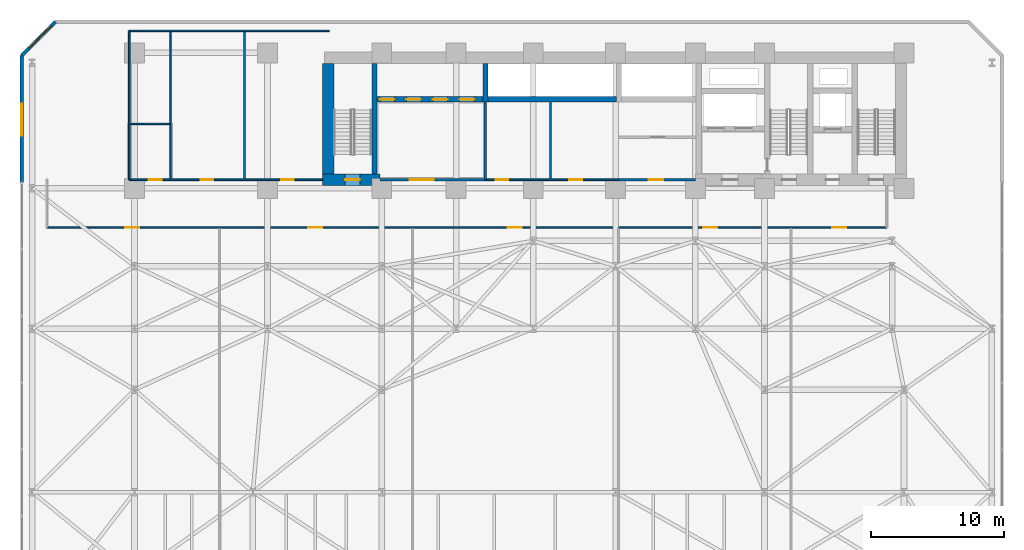
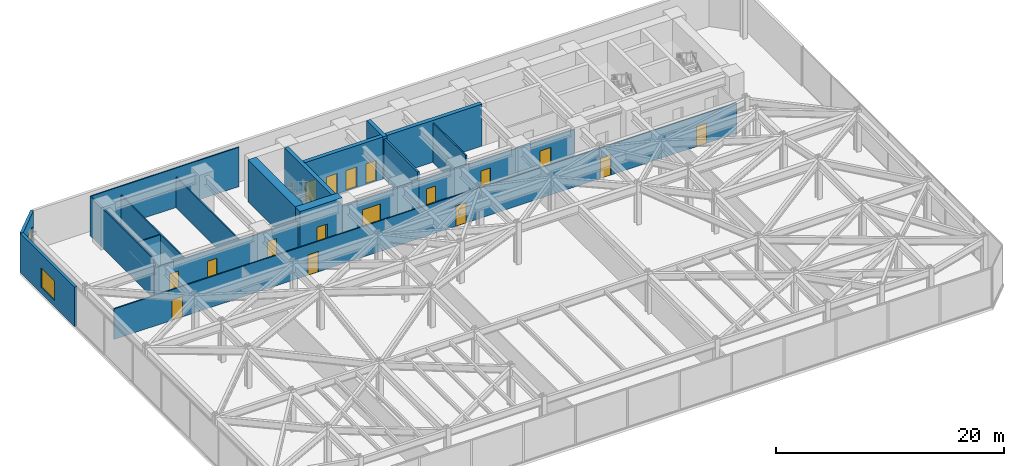
# One storey, part 25 of 28: 20 walls, 17 doors, 2 windows, 19 openings.
"""IFC4 building model written with IfcOpenShell, lengths in metres."""

from ifc_helpers import new_model, si_unit, direction, frame, frame_2d, origin, place, context, subcontext, project, spatial, rectangle, extrude, material, layer, layer_set, type_object, element, fill, save


model = new_model("IFC4")

# Units and contexts
model_context = context("Model", 3, precision=1e-05, world=origin(), true_north=direction((0.0, 1.0)))
body_context = subcontext(model_context, "Body", "Model", "MODEL_VIEW")
ifc_project = project(units=[si_unit("LENGTHUNIT", "METRE"), si_unit("AREAUNIT", "SQUARE_METRE"), si_unit("VOLUMEUNIT", "CUBIC_METRE"), si_unit("PLANEANGLEUNIT", "RADIAN"), si_unit("MASSUNIT", "GRAM", prefix="KILO")], contexts=[model_context])

# Site, building, storey
site_placement = place(None, origin())
site = spatial("IfcSite", under=ifc_project, at=site_placement, CompositionType="ELEMENT")
building_placement = place(site_placement, origin())
building = spatial("IfcBuilding", under=site, at=building_placement, Name="Kravanh Interchange Tower", CompositionType="ELEMENT")
storey_placement = place(building_placement, frame((0.0, 0.0, 10.800048828125)))
storey = spatial("IfcBuildingStorey", under=building, at=storey_placement, Name="L02", CompositionType="ELEMENT", Elevation=10.800048828125)

# Wall
ifc_material_1 = material(Name="Double Acoustic Gypsum Board and Mineral Wool")
ifc_layer_1 = layer(ifc_material_1, 0.1201171875)
ifc_layer_set_1 = layer_set([ifc_layer_1], Name="Acoustic Office Drywall Partition 120mm")
wall_type_1 = type_object("IfcWallType", Name="Acoustic Office Drywall Partition 120mm", PredefinedType="PARTITIONING", material=ifc_layer_set_1)
wall_1_placement = place(storey_placement, frame((39.89990234375, 38.068115234375, 0.0), z_axis=(0.0, 0.0, 1.0), x_axis=(0.0, 1.0, 0.0)))
element("IfcWall", 1, at=wall_1_placement, inside=storey, type_object=wall_type_1, Name="L02 Interior Partition 6", PredefinedType="PARTITIONING", context=body_context, shape_type="SweptSolid", body=[
    extrude(rectangle(XDim=5.77392578125, YDim=0.1201171875, at=frame_2d((2.886962890625, 0.0))), origin(), (0.0, 0.0, 1.0), 4.22998046875),
])

# Wall, openings, doors
wall_2_placement = place(storey_placement, frame((2.0, 34.39990234375, 0.0), z_axis=(0.0, 0.0, 1.0), x_axis=(1.0, 0.0, 0.0)))
wall_2 = element("IfcWall", 2, at=wall_2_placement, inside=storey, type_object=wall_type_1, Name="L02 Interior Partition 7", PredefinedType="PARTITIONING", context=body_context, shape_type="SweptSolid", body=[
    extrude(rectangle(XDim=63.199951171875, YDim=0.1201171875, at=frame_2d((31.60009765625, 0.0))), origin(), (0.0, 0.0, 1.0), 3.281982421875),
])
opening_1_placement = place(wall_2_placement, frame((5.89990234375, 0.0, 0.0)))
opening_1 = element("IfcOpeningElement", 3, at=opening_1_placement, cuts=wall_2, Name="Opening D-105", PredefinedType="OPENING", context=body_context, shape_type="SweptSolid", body=[
    extrude(rectangle(XDim=1.050048828125, YDim=2.199951171875, at=frame_2d((0.52490234375, 1.10009765625))), frame((0.0, 0.070068359375, 0.0), z_axis=(0.0, -1.0, 0.0), x_axis=(1.0, 0.0, 0.0)), (0.0, 0.0, 1.0), 0.14013671875),
])
opening_2_placement = place(wall_2_placement, frame((19.684814453125, 0.0, 0.0)))
opening_2 = element("IfcOpeningElement", 4, at=opening_2_placement, cuts=wall_2, Name="Opening D-105", PredefinedType="OPENING", context=body_context, shape_type="SweptSolid", body=[
    extrude(rectangle(XDim=1.050048828125, YDim=2.199951171875, at=frame_2d((0.52490234375, 1.10009765625))), frame((0.0, 0.070068359375, 0.0), z_axis=(0.0, -1.0, 0.0), x_axis=(1.0, 0.0, 0.0)), (0.0, 0.0, 1.0), 0.14013671875),
])
opening_3_placement = place(wall_2_placement, frame((34.684814453125, 0.0, 0.0)))
opening_3 = element("IfcOpeningElement", 5, at=opening_3_placement, cuts=wall_2, Name="Opening D-105", PredefinedType="OPENING", context=body_context, shape_type="SweptSolid", body=[
    extrude(rectangle(XDim=1.050048828125, YDim=2.199951171875, at=frame_2d((0.52490234375, 1.10009765625))), frame((0.0, 0.070068359375, 0.0), z_axis=(0.0, -1.0, 0.0), x_axis=(1.0, 0.0, 0.0)), (0.0, 0.0, 1.0), 0.14013671875),
])
opening_4_placement = place(wall_2_placement, frame((49.376708984375, 0.0, 0.0)))
opening_4 = element("IfcOpeningElement", 6, at=opening_4_placement, cuts=wall_2, Name="Opening D-105", PredefinedType="OPENING", context=body_context, shape_type="SweptSolid", body=[
    extrude(rectangle(XDim=1.050048828125, YDim=2.199951171875, at=frame_2d((0.52490234375, 1.10009765625))), frame((0.0, 0.070068359375, 0.0), z_axis=(0.0, -1.0, 0.0), x_axis=(1.0, 0.0, 0.0)), (0.0, 0.0, 1.0), 0.14013671875),
])
opening_5_placement = place(wall_2_placement, frame((59.10009765625, 0.0, 0.0)))
opening_5 = element("IfcOpeningElement", 7, at=opening_5_placement, cuts=wall_2, Name="Opening D-105", PredefinedType="OPENING", context=body_context, shape_type="SweptSolid", body=[
    extrude(rectangle(XDim=1.050048828125, YDim=2.199951171875, at=frame_2d((0.52490234375, 1.10009765625))), frame((0.0, 0.070068359375, 0.0), z_axis=(0.0, -1.0, 0.0), x_axis=(1.0, 0.0, 0.0)), (0.0, 0.0, 1.0), 0.14013671875),
])
ifc_material_2 = material(Name="Acoustic Glazed Oak and Aluminium", Category="aluminium")
door_type_1 = type_object("IfcDoorType", Name="Office Workplace Door 1050x2200", OperationType="NOTDEFINED", PredefinedType="DOOR", material=ifc_material_2)
door_1_placement = place(opening_1_placement, origin())
door_1 = element("IfcDoor", 8, at=door_1_placement, inside=storey, type_object=door_type_1, Name="L02 Rail Signalling Control Room Door", OperationType="SINGLE_SWING_RIGHT", OverallHeight=2.199951171875, OverallWidth=1.050048828125, PredefinedType="DOOR", context=body_context, shape_type="SweptSolid", body=[
    extrude(rectangle(XDim=1.050048828125, YDim=2.199951171875, at=frame_2d((0.52490234375, 1.10009765625))), frame((0.0, 0.02490234375, 0.0), z_axis=(0.0, -1.0, 0.0), x_axis=(1.0, 0.0, 0.0)), (0.0, 0.0, 1.0), 0.050048828125),
])
fill(opening_1, door_1)
door_2_placement = place(opening_2_placement, origin())
door_2 = element("IfcDoor", 9, at=door_2_placement, inside=storey, type_object=door_type_1, Name="L02 Bus Dispatch Operations Door", OperationType="SINGLE_SWING_LEFT", OverallHeight=2.199951171875, OverallWidth=1.050048828125, PredefinedType="DOOR", context=body_context, shape_type="SweptSolid", body=[
    extrude(rectangle(XDim=1.050048828125, YDim=2.199951171875, at=frame_2d((0.52490234375, 1.10009765625))), frame((0.0, 0.02490234375, 0.0), z_axis=(0.0, -1.0, 0.0), x_axis=(1.0, 0.0, 0.0)), (0.0, 0.0, 1.0), 0.050048828125),
])
fill(opening_2, door_2)
door_3_placement = place(opening_3_placement, origin())
door_3 = element("IfcDoor", 10, at=door_3_placement, inside=storey, type_object=door_type_1, Name="L02 Transit Operations Office Door", OperationType="SINGLE_SWING_RIGHT", OverallHeight=2.199951171875, OverallWidth=1.050048828125, PredefinedType="DOOR", context=body_context, shape_type="SweptSolid", body=[
    extrude(rectangle(XDim=1.050048828125, YDim=2.199951171875, at=frame_2d((0.52490234375, 1.10009765625))), frame((0.0, 0.02490234375, 0.0), z_axis=(0.0, -1.0, 0.0), x_axis=(1.0, 0.0, 0.0)), (0.0, 0.0, 1.0), 0.050048828125),
])
fill(opening_3, door_3)
door_4_placement = place(opening_4_placement, origin())
door_4 = element("IfcDoor", 11, at=door_4_placement, inside=storey, type_object=door_type_1, Name="L02 Station Administration Office Door", OperationType="SINGLE_SWING_LEFT", OverallHeight=2.199951171875, OverallWidth=1.050048828125, PredefinedType="DOOR", context=body_context, shape_type="SweptSolid", body=[
    extrude(rectangle(XDim=1.050048828125, YDim=2.199951171875, at=frame_2d((0.52490234375, 1.10009765625))), frame((0.0, 0.02490234375, 0.0), z_axis=(0.0, -1.0, 0.0), x_axis=(1.0, 0.0, 0.0)), (0.0, 0.0, 1.0), 0.050048828125),
])
fill(opening_4, door_4)
door_5_placement = place(opening_5_placement, origin())
door_5 = element("IfcDoor", 12, at=door_5_placement, inside=storey, type_object=door_type_1, Name="L02 Civic Customer Service Suite Door", OperationType="SINGLE_SWING_RIGHT", OverallHeight=2.199951171875, OverallWidth=1.050048828125, PredefinedType="DOOR", context=body_context, shape_type="SweptSolid", body=[
    extrude(rectangle(XDim=1.050048828125, YDim=2.199951171875, at=frame_2d((0.52490234375, 1.10009765625))), frame((0.0, 0.02490234375, 0.0), z_axis=(0.0, -1.0, 0.0), x_axis=(1.0, 0.0, 0.0)), (0.0, 0.0, 1.0), 0.050048828125),
])
fill(opening_5, door_5)

wall_3_placement = place(storey_placement, frame((8.199951171875, 38.0, 0.0), z_axis=(0.0, 0.0, 1.0), x_axis=(1.0, 0.0, 0.0)))
wall_3 = element("IfcWall", 13, at=wall_3_placement, inside=storey, type_object=wall_type_1, Name="L02 Restroom Corridor Wall 10", PredefinedType="PARTITIONING", context=body_context, shape_type="SweptSolid", body=[
    extrude(rectangle(XDim=14.550048828125, YDim=0.1201171875, at=frame_2d((7.27490234375, 0.0))), origin(), (0.0, 0.0, 1.0), 3.281982421875),
])
opening_6_placement = place(wall_3_placement, frame((1.481689453125, 0.0, 0.0)))
opening_6 = element("IfcOpeningElement", 14, at=opening_6_placement, cuts=wall_3, Name="Opening D-95", PredefinedType="OPENING", context=body_context, shape_type="SweptSolid", body=[
    extrude(rectangle(XDim=0.949951171875, YDim=2.14990234375, at=frame_2d((0.47509765625, 1.074951171875))), frame((0.0, 0.070068359375, 0.0), z_axis=(0.0, -1.0, 0.0), x_axis=(1.0, 0.0, 0.0)), (0.0, 0.0, 1.0), 0.14013671875),
])
opening_7_placement = place(wall_3_placement, frame((5.369873046875, 0.0, 0.0)))
opening_7 = element("IfcOpeningElement", 15, at=opening_7_placement, cuts=wall_3, Name="Opening D-95", PredefinedType="OPENING", context=body_context, shape_type="SweptSolid", body=[
    extrude(rectangle(XDim=0.949951171875, YDim=2.14990234375, at=frame_2d((0.47509765625, 1.074951171875))), frame((0.0, 0.070068359375, 0.0), z_axis=(0.0, -1.0, 0.0), x_axis=(1.0, 0.0, 0.0)), (0.0, 0.0, 1.0), 0.14013671875),
])
opening_8_placement = place(wall_3_placement, frame((11.436767578125, 0.0, 0.0)))
opening_8 = element("IfcOpeningElement", 16, at=opening_8_placement, cuts=wall_3, Name="Opening D-95", PredefinedType="OPENING", context=body_context, shape_type="SweptSolid", body=[
    extrude(rectangle(XDim=0.949951171875, YDim=2.14990234375, at=frame_2d((0.47509765625, 1.074951171875))), frame((0.0, 0.070068359375, 0.0), z_axis=(0.0, -1.0, 0.0), x_axis=(1.0, 0.0, 0.0)), (0.0, 0.0, 1.0), 0.14013671875),
])
ifc_material_3 = material(Name="Laminate Solid-Core Timber", Category="wood")
door_type_2 = type_object("IfcDoorType", Name="Accessible Restroom Door 950x2150", OperationType="NOTDEFINED", PredefinedType="DOOR", material=ifc_material_3)
door_6_placement = place(opening_6_placement, origin())
door_6 = element("IfcDoor", 17, at=door_6_placement, inside=storey, type_object=door_type_2, Name="L02 Accessible WC Door", OperationType="SINGLE_SWING_LEFT", OverallHeight=2.14990234375, OverallWidth=0.949951171875, PredefinedType="DOOR", context=body_context, shape_type="SweptSolid", body=[
    extrude(rectangle(XDim=0.949951171875, YDim=2.14990234375, at=frame_2d((0.47509765625, 1.074951171875))), frame((0.0, 0.02490234375, 0.0), z_axis=(0.0, -1.0, 0.0), x_axis=(1.0, 0.0, 0.0)), (0.0, 0.0, 1.0), 0.050048828125),
])
fill(opening_6, door_6)
door_7_placement = place(opening_7_placement, origin())
door_7 = element("IfcDoor", 18, at=door_7_placement, inside=storey, type_object=door_type_2, Name="L02 Female WC Door", OperationType="SINGLE_SWING_RIGHT", OverallHeight=2.14990234375, OverallWidth=0.949951171875, PredefinedType="DOOR", context=body_context, shape_type="SweptSolid", body=[
    extrude(rectangle(XDim=0.949951171875, YDim=2.14990234375, at=frame_2d((0.47509765625, 1.074951171875))), frame((0.0, 0.02490234375, 0.0), z_axis=(0.0, -1.0, 0.0), x_axis=(1.0, 0.0, 0.0)), (0.0, 0.0, 1.0), 0.050048828125),
])
fill(opening_7, door_7)
door_8_placement = place(opening_8_placement, origin())
door_8 = element("IfcDoor", 19, at=door_8_placement, inside=storey, type_object=door_type_2, Name="L02 Male WC Door", OperationType="SINGLE_SWING_LEFT", OverallHeight=2.14990234375, OverallWidth=0.949951171875, PredefinedType="DOOR", context=body_context, shape_type="SweptSolid", body=[
    extrude(rectangle(XDim=0.949951171875, YDim=2.14990234375, at=frame_2d((0.47509765625, 1.074951171875))), frame((0.0, 0.02490234375, 0.0), z_axis=(0.0, -1.0, 0.0), x_axis=(1.0, 0.0, 0.0)), (0.0, 0.0, 1.0), 0.050048828125),
])
fill(opening_8, door_8)

# Walls
wall_4_placement = place(storey_placement, frame((8.199951171875, 38.0, 0.0), z_axis=(0.0, 0.0, 1.0), x_axis=(0.0, 1.0, 0.0)))
element("IfcWall", 20, at=wall_4_placement, inside=storey, type_object=wall_type_1, Name="L02 Restroom West Enclosure 11", PredefinedType="PARTITIONING", context=body_context, shape_type="SweptSolid", body=[
    extrude(rectangle(XDim=11.199951171875, YDim=0.1201171875, at=frame_2d((5.60009765625, 0.0))), origin(), (0.0, 0.0, 1.0), 4.22998046875),
])
wall_5_placement = place(storey_placement, frame((8.199951171875, 49.199951171875, 0.0), z_axis=(0.0, 0.0, 1.0), x_axis=(1.0, 0.0, 0.0)))
element("IfcWall", 21, at=wall_5_placement, inside=storey, type_object=wall_type_1, Name="L02 Restroom North Enclosure 12", PredefinedType="PARTITIONING", context=body_context, shape_type="SweptSolid", body=[
    extrude(rectangle(XDim=15.050048828125, YDim=0.1201171875, at=frame_2d((7.52490234375, 0.0))), origin(), (0.0, 0.0, 1.0), 4.22998046875),
])
for number, where, z_axis, x_axis, name in (
    (22, (11.300048828125, 38.068115234375, 0.0), (0.0, 0.0, 1.0), (0.0, 1.0, 0.0), "L02 Interior Partition 13"),
    (23, (16.8701171875, 38.068115234375, 0.0), (0.0, 0.0, 1.0), (0.0, 1.0, 0.0), "L02 Interior Partition 14"),
):
    element("IfcWall", number, at=place(storey_placement, frame(where, z_axis=z_axis, x_axis=x_axis)), inside=storey, type_object=wall_type_1, Name=name, PredefinedType="PARTITIONING", context=body_context, shape_type="SweptSolid", body=[
        extrude(rectangle(XDim=11.06396484375, YDim=0.1201171875, at=frame_2d((5.531982421875, 0.0))), origin(), (0.0, 0.0, 1.0), 3.281982421875),
    ])
wall_6_placement = place(storey_placement, frame((8.26806640625, 42.199951171875, 0.0), z_axis=(0.0, 0.0, 1.0), x_axis=(1.0, 0.0, 0.0)))
element("IfcWall", 24, at=wall_6_placement, inside=storey, type_object=wall_type_1, Name="L02 Interior Partition 15", PredefinedType="PARTITIONING", context=body_context, shape_type="SweptSolid", body=[
    extrude(rectangle(XDim=2.9638671875, YDim=0.1201171875, at=frame_2d((1.48193359375, 0.0))), origin(), (0.0, 0.0, 1.0), 3.281982421875),
])
ifc_material_4 = material(Name="Concrete C80/95", Category="concrete")
ifc_layer_2 = layer(ifc_material_4, 0.39990234375)
ifc_layer_set_2 = layer_set([ifc_layer_2], Name="Core Shear Wall Concrete C80/95 400mm")
wall_type_2 = type_object("IfcWallType", Name="Core Shear Wall Concrete C80/95 400mm", PredefinedType="SHEAR", material=ifc_layer_set_2)
wall_7_placement = place(storey_placement, frame((35.199951171875, 44.050048828125, 0.0), z_axis=(0.0, 0.0, 1.0), x_axis=(1.0, 0.0, 0.0)))
element("IfcWall", 25, at=wall_7_placement, inside=storey, type_object=wall_type_2, Name="L02 Mid-Rise Lift Shaft South Wall", PredefinedType="SHEAR", context=body_context, shape_type="SweptSolid", body=[
    extrude(rectangle(XDim=9.650146484375, YDim=0.39990234375, at=frame_2d((4.8251953125, 0.0))), origin(), (0.0, 0.0, 1.0), 4.5),
])
wall_8_placement = place(storey_placement, frame((35.0, 43.85009765625, 0.0), z_axis=(0.0, 0.0, 1.0), x_axis=(0.0, 1.0, 0.0)))
element("IfcWall", 26, at=wall_8_placement, inside=storey, type_object=wall_type_2, Name="L02 Mid-Rise Lift Shaft West Wall", PredefinedType="SHEAR", context=body_context, shape_type="SweptSolid", body=[
    extrude(rectangle(XDim=2.89990234375, YDim=0.39990234375, at=frame_2d((1.449951171875, 0.0))), origin(), (0.0, 0.0, 1.0), 4.5),
])

# Wall, openings, doors
wall_9_placement = place(storey_placement, frame((26.85009765625, 44.050048828125, 0.0), z_axis=(0.0, 0.0, 1.0), x_axis=(1.0, 0.0, 0.0)))
wall_9 = element("IfcWall", 27, at=wall_9_placement, inside=storey, type_object=wall_type_2, Name="L02 Low-Rise Lift Shaft South Wall", PredefinedType="SHEAR", context=body_context, shape_type="SweptSolid", body=[
    extrude(rectangle(XDim=7.949951171875, YDim=0.39990234375, at=frame_2d((3.97509765625, 0.0))), origin(), (0.0, 0.0, 1.0), 4.5),
])
opening_9_placement = place(wall_9_placement, frame((0.199951171875, 0.0, 0.0)))
opening_9 = element("IfcOpeningElement", 28, at=opening_9_placement, cuts=wall_9, Name="Opening LD01", PredefinedType="OPENING", context=body_context, shape_type="SweptSolid", body=[
    extrude(rectangle(XDim=1.10009765625, YDim=2.199951171875, at=frame_2d((0.550048828125, 1.10009765625))), frame((0.0, 0.2099609375, 0.0), z_axis=(0.0, -1.0, 0.0), x_axis=(1.0, 0.0, 0.0)), (0.0, 0.0, 1.0), 0.419921875),
])
opening_10_placement = place(wall_9_placement, frame((2.199951171875, 0.0, 0.0)))
opening_10 = element("IfcOpeningElement", 29, at=opening_10_placement, cuts=wall_9, Name="Opening LD01", PredefinedType="OPENING", context=body_context, shape_type="SweptSolid", body=[
    extrude(rectangle(XDim=1.10009765625, YDim=2.199951171875, at=frame_2d((0.550048828125, 1.10009765625))), frame((0.0, 0.2099609375, 0.0), z_axis=(0.0, -1.0, 0.0), x_axis=(1.0, 0.0, 0.0)), (0.0, 0.0, 1.0), 0.419921875),
])
opening_11_placement = place(wall_9_placement, frame((4.199951171875, 0.0, 0.0)))
opening_11 = element("IfcOpeningElement", 30, at=opening_11_placement, cuts=wall_9, Name="Opening LD01", PredefinedType="OPENING", context=body_context, shape_type="SweptSolid", body=[
    extrude(rectangle(XDim=1.10009765625, YDim=2.199951171875, at=frame_2d((0.550048828125, 1.10009765625))), frame((0.0, 0.2099609375, 0.0), z_axis=(0.0, -1.0, 0.0), x_axis=(1.0, 0.0, 0.0)), (0.0, 0.0, 1.0), 0.419921875),
])
opening_12_placement = place(wall_9_placement, frame((6.199951171875, 0.0, 0.0)))
opening_12 = element("IfcOpeningElement", 31, at=opening_12_placement, cuts=wall_9, Name="Opening LD01", PredefinedType="OPENING", context=body_context, shape_type="SweptSolid", body=[
    extrude(rectangle(XDim=1.10009765625, YDim=2.199951171875, at=frame_2d((0.550048828125, 1.10009765625))), frame((0.0, 0.2099609375, 0.0), z_axis=(0.0, -1.0, 0.0), x_axis=(1.0, 0.0, 0.0)), (0.0, 0.0, 1.0), 0.419921875),
])
ifc_material_5 = material(Name="Stainless Steel 304", Category="steel")
door_type_3 = type_object("IfcDoorType", Name="Passenger Lift Sliding Landing Door 1100x2200", OperationType="DOUBLE_DOOR_SLIDING", PredefinedType="DOOR", material=ifc_material_5)
door_9_placement = place(opening_9_placement, origin())
door_9 = element("IfcDoor", 32, at=door_9_placement, inside=storey, type_object=door_type_3, Name="L02 Lift LP-L1 Landing Door", OperationType="DOUBLE_DOOR_SLIDING", OverallHeight=2.199951171875, OverallWidth=1.10009765625, PredefinedType="DOOR", context=body_context, shape_type="SweptSolid", body=[
    extrude(rectangle(XDim=1.10009765625, YDim=2.199951171875, at=frame_2d((0.550048828125, 1.10009765625))), frame((0.0, 0.02490234375, 0.0), z_axis=(0.0, -1.0, 0.0), x_axis=(1.0, 0.0, 0.0)), (0.0, 0.0, 1.0), 0.050048828125),
])
fill(opening_9, door_9)
door_10_placement = place(opening_10_placement, origin())
door_10 = element("IfcDoor", 33, at=door_10_placement, inside=storey, type_object=door_type_3, Name="L02 Lift LP-L2 Landing Door", OperationType="DOUBLE_DOOR_SLIDING", OverallHeight=2.199951171875, OverallWidth=1.10009765625, PredefinedType="DOOR", context=body_context, shape_type="SweptSolid", body=[
    extrude(rectangle(XDim=1.10009765625, YDim=2.199951171875, at=frame_2d((0.550048828125, 1.10009765625))), frame((0.0, 0.02490234375, 0.0), z_axis=(0.0, -1.0, 0.0), x_axis=(1.0, 0.0, 0.0)), (0.0, 0.0, 1.0), 0.050048828125),
])
fill(opening_10, door_10)
door_11_placement = place(opening_11_placement, origin())
door_11 = element("IfcDoor", 34, at=door_11_placement, inside=storey, type_object=door_type_3, Name="L02 Lift LP-L3 Landing Door", OperationType="DOUBLE_DOOR_SLIDING", OverallHeight=2.199951171875, OverallWidth=1.10009765625, PredefinedType="DOOR", context=body_context, shape_type="SweptSolid", body=[
    extrude(rectangle(XDim=1.10009765625, YDim=2.199951171875, at=frame_2d((0.550048828125, 1.10009765625))), frame((0.0, 0.02490234375, 0.0), z_axis=(0.0, -1.0, 0.0), x_axis=(1.0, 0.0, 0.0)), (0.0, 0.0, 1.0), 0.050048828125),
])
fill(opening_11, door_11)
door_12_placement = place(opening_12_placement, origin())
door_12 = element("IfcDoor", 35, at=door_12_placement, inside=storey, type_object=door_type_3, Name="L02 Lift LP-L4 Landing Door", OperationType="DOUBLE_DOOR_SLIDING", OverallHeight=2.199951171875, OverallWidth=1.10009765625, PredefinedType="DOOR", context=body_context, shape_type="SweptSolid", body=[
    extrude(rectangle(XDim=1.10009765625, YDim=2.199951171875, at=frame_2d((0.550048828125, 1.10009765625))), frame((0.0, 0.02490234375, 0.0), z_axis=(0.0, -1.0, 0.0), x_axis=(1.0, 0.0, 0.0)), (0.0, 0.0, 1.0), 0.050048828125),
])
fill(opening_12, door_12)

# Wall
wall_10_placement = place(storey_placement, frame((26.64990234375, 38.425048828125, 0.0), z_axis=(0.0, 0.0, 1.0), x_axis=(0.0, 1.0, 0.0)))
element("IfcWall", 36, at=wall_10_placement, inside=storey, type_object=wall_type_2, Name="L02 Stair ST3 East Shear Wall", PredefinedType="SHEAR", context=body_context, shape_type="SweptSolid", body=[
    extrude(rectangle(XDim=8.324951171875, YDim=0.39990234375, at=frame_2d((4.16259765625, 0.0))), origin(), (0.0, 0.0, 1.0), 4.5),
])

# Wall, opening, door
ifc_material_6 = material(Name="Concrete C80/95", Category="concrete")
ifc_layer_3 = layer(ifc_material_6, 0.85009765625)
ifc_layer_set_3 = layer_set([ifc_layer_3], Name="Core Shear Wall Concrete C80/95 850mm")
wall_type_3 = type_object("IfcWallType", Name="Core Shear Wall Concrete C80/95 850mm", PredefinedType="SHEAR", material=ifc_layer_set_3)
wall_11_placement = place(storey_placement, frame((22.75, 38.0, 0.0), z_axis=(0.0, 0.0, 1.0), x_axis=(1.0, 0.0, 0.0)))
wall_11 = element("IfcWall", 37, at=wall_11_placement, inside=storey, type_object=wall_type_3, Name="L02 Stair ST3 South Shear Wall", PredefinedType="SHEAR", context=body_context, shape_type="SweptSolid", body=[
    extrude(rectangle(XDim=4.300048828125, YDim=0.85009765625, at=frame_2d((2.14990234375, 0.0))), origin(), (0.0, 0.0, 1.0), 4.5),
])
opening_13_placement = place(wall_11_placement, frame((1.699951171875, 0.0, 0.0)))
opening_13 = element("IfcOpeningElement", 38, at=opening_13_placement, cuts=wall_11, Name="Opening D-STAIR-110", PredefinedType="OPENING", context=body_context, shape_type="SweptSolid", body=[
    extrude(rectangle(XDim=1.10009765625, YDim=2.199951171875, at=frame_2d((0.550048828125, 1.10009765625))), frame((0.0, 0.43505859375, 0.0), z_axis=(0.0, -1.0, 0.0), x_axis=(1.0, 0.0, 0.0)), (0.0, 0.0, 1.0), 0.8701171875),
])
ifc_material_7 = material(Name="Structural Steel S355", Category="steel")
door_type_4 = type_object("IfcDoorType", Name="Fire-Rated Exit Stair Door 1100x2200", OperationType="NOTDEFINED", PredefinedType="DOOR", material=ifc_material_7)
door_13_placement = place(opening_13_placement, origin())
door_13 = element("IfcDoor", 39, at=door_13_placement, inside=storey, type_object=door_type_4, Name="L02 Exit Stair ST3 Door", OperationType="SINGLE_SWING_RIGHT", OverallHeight=2.199951171875, OverallWidth=1.10009765625, PredefinedType="DOOR", context=body_context, shape_type="SweptSolid", body=[
    extrude(rectangle(XDim=1.10009765625, YDim=2.199951171875, at=frame_2d((0.550048828125, 1.10009765625))), frame((0.0, 0.02490234375, 0.0), z_axis=(0.0, -1.0, 0.0), x_axis=(1.0, 0.0, 0.0)), (0.0, 0.0, 1.0), 0.050048828125),
])
fill(opening_13, door_13)

# Wall
wall_12_placement = place(storey_placement, frame((23.175048828125, 38.425048828125, 0.0), z_axis=(0.0, 0.0, 1.0), x_axis=(0.0, 1.0, 0.0)))
element("IfcWall", 40, at=wall_12_placement, inside=storey, type_object=wall_type_3, Name="L02 Stair ST3 West Shear Wall", PredefinedType="SHEAR", context=body_context, shape_type="SweptSolid", body=[
    extrude(rectangle(XDim=8.324951171875, YDim=0.85009765625, at=frame_2d((4.16259765625, 0.0))), origin(), (0.0, 0.0, 1.0), 4.5),
])

# Wall, opening, window
ifc_material_8 = material(Name="Insulated Precast Concrete C40/50 with Bronze Cladding", Category="concrete")
ifc_layer_4 = layer(ifc_material_8, 0.280029296875)
ifc_layer_set_4 = layer_set([ifc_layer_4], Name="Exterior Insulated Concrete C40/50 Bronze Spandrel Wall 280mm")
wall_type_4 = type_object("IfcWallType", Name="Exterior Insulated Concrete C40/50 Bronze Spandrel Wall 280mm", PredefinedType="STANDARD", material=ifc_layer_set_4)
wall_13_placement = place(storey_placement, frame((0.1201171875, 37.800048828125, 0.0), z_axis=(0.0, 0.0, 1.0), x_axis=(0.0, 1.0, 0.0)))
wall_13 = element("IfcWall", 41, at=wall_13_placement, inside=storey, type_object=wall_type_4, Name="L02 Exterior Wall 1", PredefinedType="STANDARD", context=body_context, shape_type="SweptSolid", body=[
    extrude(rectangle(XDim=9.55029296875, YDim=0.280029296875, at=frame_2d((4.775146484375, 0.0))), origin(), (0.0, 0.0, 1.0), 4.22998046875),
])
opening_14_placement = place(wall_13_placement, frame((3.5146484375, 0.0, 0.64990234375)))
opening_14 = element("IfcOpeningElement", 42, at=opening_14_placement, cuts=wall_13, Name="Opening WN-240X210", PredefinedType="OPENING", context=body_context, shape_type="SweptSolid", body=[
    extrude(rectangle(XDim=2.39990234375, YDim=2.10009765625, at=frame_2d((1.199951171875, 1.050048828125))), frame((0.0, 0.14990234375, 0.0), z_axis=(0.0, -1.0, 0.0), x_axis=(1.0, 0.0, 0.0)), (0.0, 0.0, 1.0), 0.300048828125),
])
ifc_material_9 = material(Name="Thermally Broken Bronze Aluminium and Low-E Glass", Category="aluminium")
window_type = type_object("IfcWindowType", Name="Podium Punched Window 2400x2100", PartitioningType="SINGLE_PANEL", PredefinedType="WINDOW", material=ifc_material_9)
window_1_placement = place(opening_14_placement, origin())
window_1 = element("IfcWindow", 43, at=window_1_placement, inside=storey, type_object=window_type, Name="L02 Corner Window 1", OverallHeight=2.10009765625, OverallWidth=2.39990234375, PartitioningType="SINGLE_PANEL", PredefinedType="WINDOW", context=body_context, shape_type="SweptSolid", body=[
    extrude(rectangle(XDim=2.39990234375, YDim=2.10009765625, at=frame_2d((1.199951171875, 1.050048828125))), frame((0.0, 0.030029296875, 0.0), z_axis=(0.0, -1.0, 0.0), x_axis=(1.0, 0.0, 0.0)), (0.0, 0.0, 1.0), 0.06005859375),
])
fill(opening_14, window_1)

wall_14_placement = place(storey_placement, frame((0.1201171875, 47.350341796875, 0.0), z_axis=(0.0, 0.0, 1.0), x_axis=(0.707106781187, 0.707106781187, 0.0)))
wall_14 = element("IfcWall", 44, at=wall_14_placement, inside=storey, type_object=wall_type_4, Name="L02 Exterior Wall 2", PredefinedType="STANDARD", context=body_context, shape_type="SweptSolid", body=[
    extrude(rectangle(XDim=3.577392578125, YDim=0.280029296875, at=frame_2d((1.78857421875, 0.0))), origin(), (0.0, 0.0, 1.0), 4.22998046875),
])
opening_15_placement = place(wall_14_placement, frame((0.750732421875, 0.0, 0.64990234375)))
opening_15 = element("IfcOpeningElement", 45, at=opening_15_placement, cuts=wall_14, Name="Opening WN-240X210", PredefinedType="OPENING", context=body_context, shape_type="SweptSolid", body=[
    extrude(rectangle(XDim=2.39990234375, YDim=2.10009765625, at=frame_2d((1.199951171875, 1.050048828125))), frame((0.0, 0.14990234375, 0.0), z_axis=(0.0, -1.0, 0.0), x_axis=(1.0, 0.0, 0.0)), (0.0, 0.0, 1.0), 0.300048828125),
])
window_2_placement = place(opening_15_placement, origin())
window_2 = element("IfcWindow", 46, at=window_2_placement, inside=storey, type_object=window_type, Name="L02 Corner Window 2", OverallHeight=2.10009765625, OverallWidth=2.39990234375, PartitioningType="SINGLE_PANEL", PredefinedType="WINDOW", context=body_context, shape_type="SweptSolid", body=[
    extrude(rectangle(XDim=2.39990234375, YDim=2.10009765625, at=frame_2d((1.199951171875, 1.050048828125))), frame((0.0, 0.030029296875, 0.0), z_axis=(0.0, -1.0, 0.0), x_axis=(1.0, 0.0, 0.0)), (0.0, 0.0, 1.0), 0.06005859375),
])
fill(opening_15, window_2)

# Wall, opening, door
ifc_material_10 = material(Name="Autoclaved Aerated Concrete C30/37 Blockwork", Category="masonry")
ifc_layer_5 = layer(ifc_material_10, 0.179931640625)
ifc_layer_set_5 = layer_set([ifc_layer_5], Name="Fire-Rated Lobby and Corridor Wall Concrete C30/37 180mm")
wall_type_5 = type_object("IfcWallType", Name="Fire-Rated Lobby and Corridor Wall Concrete C30/37 180mm", PredefinedType="STANDARD", material=ifc_layer_set_5)
wall_15_placement = place(storey_placement, frame((45.050048828125, 38.0, 0.0), z_axis=(0.0, 0.0, 1.0), x_axis=(1.0, 0.0, 0.0)))
wall_15 = element("IfcWall", 47, at=wall_15_placement, inside=storey, type_object=wall_type_5, Name="L02 Core South Enclosure 1", PredefinedType="STANDARD", context=body_context, shape_type="SweptSolid", body=[
    extrude(rectangle(XDim=5.75, YDim=0.179931640625, at=frame_2d((2.875, 0.0))), origin(), (0.0, 0.0, 1.0), 3.281982421875),
])
opening_16_placement = place(wall_15_placement, frame((2.240478515625, 0.0, 0.0)))
opening_16 = element("IfcOpeningElement", 48, at=opening_16_placement, cuts=wall_15, Name="Opening D-SHAFT-110", PredefinedType="OPENING", context=body_context, shape_type="SweptSolid", body=[
    extrude(rectangle(XDim=1.10009765625, YDim=2.199951171875, at=frame_2d((0.550048828125, 1.10009765625))), frame((0.0, 0.10009765625, 0.0), z_axis=(0.0, -1.0, 0.0), x_axis=(1.0, 0.0, 0.0)), (0.0, 0.0, 1.0), 0.199951171875),
])
ifc_material_11 = material(Name="Fire-Rated Composite Timber Leaf", Category="wood")
door_type_5 = type_object("IfcDoorType", Name="Fire-Rated Core Support Door 1100x2200", OperationType="NOTDEFINED", PredefinedType="DOOR", material=ifc_material_11)
door_14_placement = place(opening_16_placement, origin())
door_14 = element("IfcDoor", 49, at=door_14_placement, inside=storey, type_object=door_type_5, Name="L02 Core Telecom Room Door", OperationType="SINGLE_SWING_RIGHT", OverallHeight=2.199951171875, OverallWidth=1.10009765625, PredefinedType="DOOR", context=body_context, shape_type="SweptSolid", body=[
    extrude(rectangle(XDim=1.10009765625, YDim=2.199951171875, at=frame_2d((0.550048828125, 1.10009765625))), frame((0.0, 0.02490234375, 0.0), z_axis=(0.0, -1.0, 0.0), x_axis=(1.0, 0.0, 0.0)), (0.0, 0.0, 1.0), 0.050048828125),
])
fill(opening_16, door_14)

# Wall
wall_16_placement = place(storey_placement, frame((35.0, 38.0, 0.0), z_axis=(0.0, 0.0, 1.0), x_axis=(0.0, 1.0, 0.0)))
element("IfcWall", 50, at=wall_16_placement, inside=storey, type_object=wall_type_5, Name="L02 Low-Rise Lobby East Wall 3", PredefinedType="STANDARD", context=body_context, shape_type="SweptSolid", body=[
    extrude(rectangle(XDim=5.85009765625, YDim=0.179931640625, at=frame_2d((2.925048828125, 0.0))), origin(), (0.0, 0.0, 1.0), 4.22998046875),
])

# Wall, opening, door
wall_17_placement = place(storey_placement, frame((27.050048828125, 38.0, 0.0), z_axis=(0.0, 0.0, 1.0), x_axis=(1.0, 0.0, 0.0)))
wall_17 = element("IfcWall", 51, at=wall_17_placement, inside=storey, type_object=wall_type_5, Name="L02 Low-Rise Lobby South Wall 4", PredefinedType="STANDARD", context=body_context, shape_type="SweptSolid", body=[
    extrude(rectangle(XDim=7.949951171875, YDim=0.179931640625, at=frame_2d((3.97509765625, 0.0))), origin(), (0.0, 0.0, 1.0), 3.281982421875),
])
opening_17_placement = place(wall_17_placement, frame((2.25, 0.0, 0.0)))
opening_17 = element("IfcOpeningElement", 52, at=opening_17_placement, cuts=wall_17, Name="Opening DBL-180", PredefinedType="OPENING", context=body_context, shape_type="SweptSolid", body=[
    extrude(rectangle(XDim=1.800048828125, YDim=2.199951171875, at=frame_2d((0.89990234375, 1.10009765625))), frame((0.0, 0.10009765625, 0.0), z_axis=(0.0, -1.0, 0.0), x_axis=(1.0, 0.0, 0.0)), (0.0, 0.0, 1.0), 0.199951171875),
])
ifc_material_12 = material(Name="Structural Steel S355", Category="steel")
door_type_6 = type_object("IfcDoorType", Name="Lift Lobby Double Fire Door 1800x2200", OperationType="DOUBLE_DOOR_SINGLE_SWING", PredefinedType="DOOR", material=ifc_material_12)
door_15_placement = place(opening_17_placement, origin())
door_15 = element("IfcDoor", 53, at=door_15_placement, inside=storey, type_object=door_type_6, Name="L02 Low-Rise Lift Lobby Door", OperationType="DOUBLE_DOOR_SINGLE_SWING", OverallHeight=2.199951171875, OverallWidth=1.800048828125, PredefinedType="DOOR", context=body_context, shape_type="SweptSolid", body=[
    extrude(rectangle(XDim=1.800048828125, YDim=2.199951171875, at=frame_2d((0.89990234375, 1.10009765625))), frame((0.0, 0.02490234375, 0.0), z_axis=(0.0, -1.0, 0.0), x_axis=(1.0, 0.0, 0.0)), (0.0, 0.0, 1.0), 0.050048828125),
])
fill(opening_17, door_15)

# Wall, openings, doors
ifc_material_13 = material(Name="Twin Stud Acoustic Gypsum Board Wall")
ifc_layer_6 = layer(ifc_material_13, 0.14990234375)
ifc_layer_set_6 = layer_set([ifc_layer_6], Name="Medium-Duty Acoustic Partition 150mm")
wall_type_6 = type_object("IfcWallType", Name="Medium-Duty Acoustic Partition 150mm", PredefinedType="PARTITIONING", material=ifc_layer_set_6)
wall_18_placement = place(storey_placement, frame((35.0, 38.0, 0.0), z_axis=(0.0, 0.0, 1.0), x_axis=(1.0, 0.0, 0.0)))
wall_18 = element("IfcWall", 54, at=wall_18_placement, inside=storey, type_object=wall_type_6, Name="L02 Core Support South Wall 5", PredefinedType="PARTITIONING", context=body_context, shape_type="SweptSolid", body=[
    extrude(rectangle(XDim=10.050048828125, YDim=0.14990234375, at=frame_2d((5.02490234375, 0.0))), origin(), (0.0, 0.0, 1.0), 3.281982421875),
])
opening_18_placement = place(wall_18_placement, frame((0.759033203125, 0.0, 0.0)))
opening_18 = element("IfcOpeningElement", 55, at=opening_18_placement, cuts=wall_18, Name="Opening D-95", PredefinedType="OPENING", context=body_context, shape_type="SweptSolid", body=[
    extrude(rectangle(XDim=0.949951171875, YDim=2.14990234375, at=frame_2d((0.47509765625, 1.074951171875))), frame((0.0, 0.0849609375, 0.0), z_axis=(0.0, -1.0, 0.0), x_axis=(1.0, 0.0, 0.0)), (0.0, 0.0, 1.0), 0.169921875),
])
opening_19_placement = place(wall_18_placement, frame((6.324951171875, 0.0, 0.0)))
opening_19 = element("IfcOpeningElement", 56, at=opening_19_placement, cuts=wall_18, Name="Opening D-95", PredefinedType="OPENING", context=body_context, shape_type="SweptSolid", body=[
    extrude(rectangle(XDim=0.949951171875, YDim=2.14990234375, at=frame_2d((0.47509765625, 1.074951171875))), frame((0.0, 0.0849609375, 0.0), z_axis=(0.0, -1.0, 0.0), x_axis=(1.0, 0.0, 0.0)), (0.0, 0.0, 1.0), 0.169921875),
])
door_16_placement = place(opening_18_placement, origin())
door_16 = element("IfcDoor", 57, at=door_16_placement, inside=storey, type_object=door_type_2, Name="L02 Core Electrical Room Door", OperationType="SINGLE_SWING_LEFT", OverallHeight=2.14990234375, OverallWidth=0.949951171875, PredefinedType="DOOR", context=body_context, shape_type="SweptSolid", body=[
    extrude(rectangle(XDim=0.949951171875, YDim=2.14990234375, at=frame_2d((0.47509765625, 1.074951171875))), frame((0.0, 0.02490234375, 0.0), z_axis=(0.0, -1.0, 0.0), x_axis=(1.0, 0.0, 0.0)), (0.0, 0.0, 1.0), 0.050048828125),
])
fill(opening_18, door_16)
door_17_placement = place(opening_19_placement, origin())
door_17 = element("IfcDoor", 58, at=door_17_placement, inside=storey, type_object=door_type_2, Name="L02 Core Cleaners Store Door", OperationType="SINGLE_SWING_RIGHT", OverallHeight=2.14990234375, OverallWidth=0.949951171875, PredefinedType="DOOR", context=body_context, shape_type="SweptSolid", body=[
    extrude(rectangle(XDim=0.949951171875, YDim=2.14990234375, at=frame_2d((0.47509765625, 1.074951171875))), frame((0.0, 0.02490234375, 0.0), z_axis=(0.0, -1.0, 0.0), x_axis=(1.0, 0.0, 0.0)), (0.0, 0.0, 1.0), 0.050048828125),
])
fill(opening_19, door_17)

save(model, "model.ifc")
